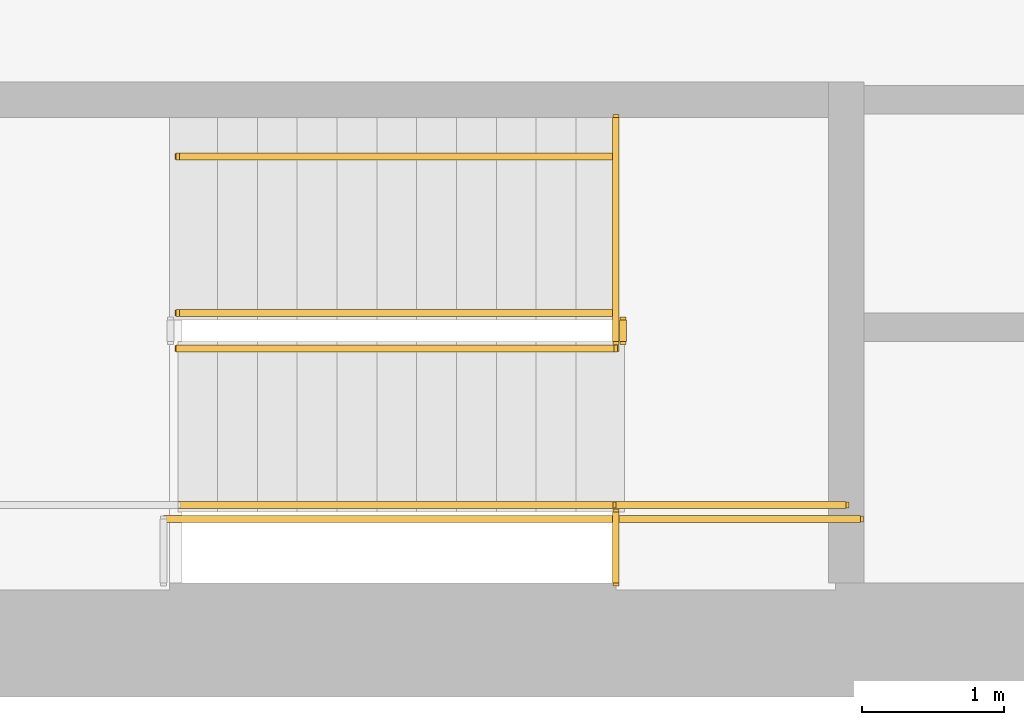
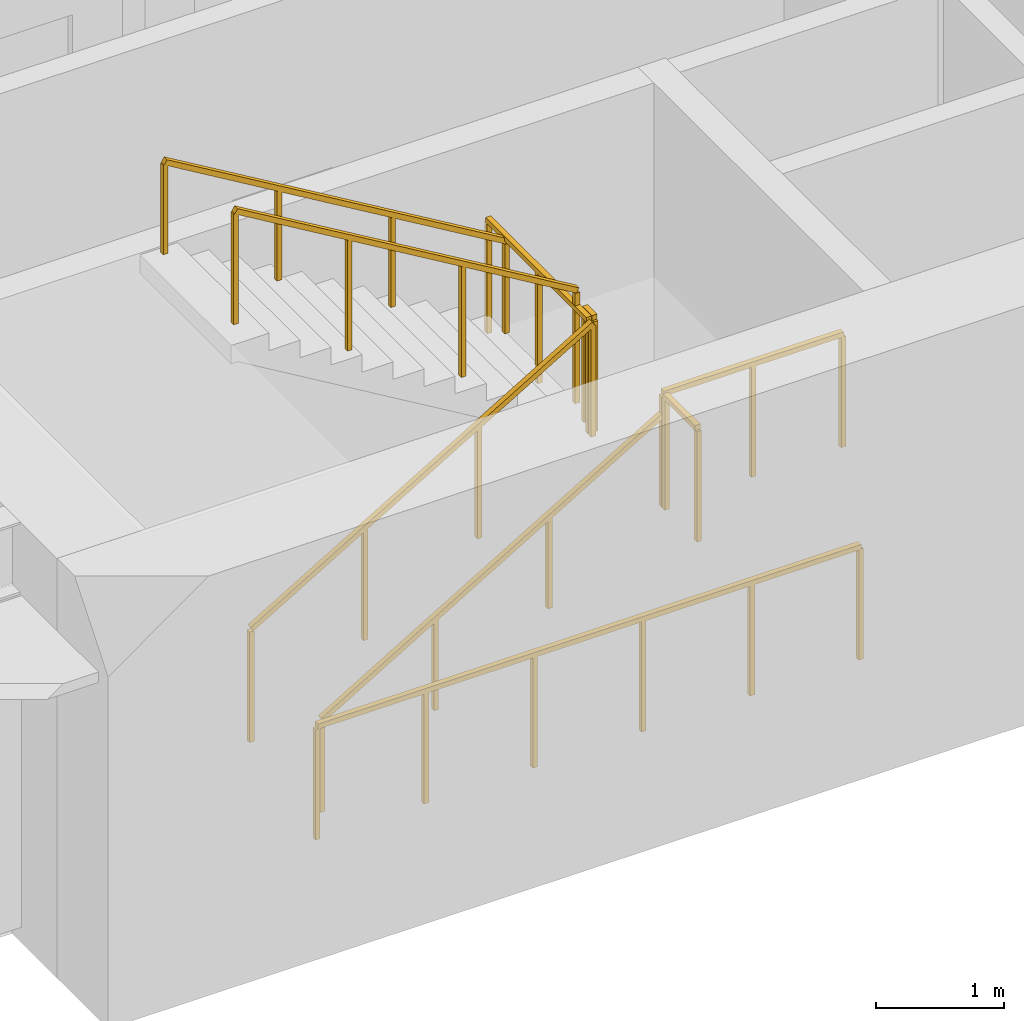
# One storey, part 10 of 12: 9 railings.
"""IFC4 building model written with IfcOpenShell, lengths in metres."""

from ifc_helpers import new_model, si_unit, direction, frame, origin, origin_2d, place, context, subcontext, project, spatial, rectangle, extrude, material, type_object, element, save


model = new_model("IFC4")

# Units and contexts
model_context = context("Model", 3, precision=1e-05, world=origin(), true_north=direction((0.0, 1.0)))
body_context = subcontext(model_context, "Body", "Model", "MODEL_VIEW")
ifc_project = project(units=[si_unit("LENGTHUNIT", "METRE"), si_unit("AREAUNIT", "SQUARE_METRE"), si_unit("VOLUMEUNIT", "CUBIC_METRE"), si_unit("PLANEANGLEUNIT", "RADIAN"), si_unit("MASSUNIT", "GRAM", prefix="KILO")], contexts=[model_context])

# Site, building, storey
site_placement = place(None, origin())
site = spatial("IfcSite", under=ifc_project, at=site_placement, CompositionType="ELEMENT")
building_placement = place(site_placement, origin())
building = spatial("IfcBuilding", under=site, at=building_placement, Name="Sennacour Bend Tower", CompositionType="ELEMENT")
storey_placement = place(building_placement, frame((0.0, 0.0, 277.0)))
storey = spatial("IfcBuildingStorey", under=building, at=storey_placement, Name="L64", CompositionType="ELEMENT", Elevation=277.0)

# Railings
ifc_material = material(Name="Stainless steel", Category="steel")
railing_type_1 = type_object("IfcRailingType", Name="RL-GUARD-1100", PredefinedType="GUARDRAIL", material=ifc_material)
railing_1_placement = place(storey_placement, frame((56.699951171875, 2.449951171875, 0.166748046875)))
element("IfcRailing", 1, at=railing_1_placement, inside=storey, type_object=railing_type_1, Name="L64 SA1 stair guard 1", PredefinedType="GUARDRAIL", context=body_context, shape_type="SweptSolid", body=[
    extrude(rectangle(XDim=0.048095703125, YDim=0.048095703125, at=origin_2d()), frame((0.0, 0.0, 1.076171875), z_axis=(0.859308565015, 0.0, 0.511457515432), x_axis=(0.0, 1.0, 0.0)), (0.0, 0.0, 1.0), 3.58447265625),
    extrude(rectangle(XDim=0.0419921875, YDim=0.0419921875, at=origin_2d()), origin(), (0.0, 0.0, 1.0), 1.052001953125),
    extrude(rectangle(XDim=0.0419921875, YDim=0.0419921875, at=origin_2d()), frame((1.026611328125, 0.0, 0.611083984375)), (0.0, 0.0, 1.0), 1.052001953125),
    extrude(rectangle(XDim=0.0419921875, YDim=0.0419921875, at=origin_2d()), frame((2.053466796875, 0.0, 1.22216796875)), (0.0, 0.0, 1.0), 1.052001953125),
    extrude(rectangle(XDim=0.0419921875, YDim=0.0419921875, at=origin_2d()), frame((3.080078125, 0.0, 1.833251953125)), (0.0, 0.0, 1.0), 1.052001953125),
])
railing_2_placement = place(storey_placement, frame((59.830078125, 2.5, 2.0)))
element("IfcRailing", 2, at=railing_2_placement, inside=storey, type_object=railing_type_1, Name="L64 SA1 stair guard 2", PredefinedType="GUARDRAIL", context=body_context, shape_type="SweptSolid", body=[
    extrude(rectangle(XDim=0.048095703125, YDim=0.048095703125, at=origin_2d()), frame((0.0, 0.0, 1.076171875), z_axis=(0.0, 1.0, 0.0), x_axis=(-1.0, 0.0, 0.0)), (0.0, 0.0, 1.0), 0.14990234375),
    extrude(rectangle(XDim=0.0419921875, YDim=0.0419921875, at=origin_2d()), origin(), (0.0, 0.0, 1.0), 1.052001953125),
    extrude(rectangle(XDim=0.0419921875, YDim=0.0419921875, at=origin_2d()), frame((0.0, 0.14990234375, 0.0)), (0.0, 0.0, 1.0), 1.052001953125),
])
railing_3_placement = place(storey_placement, frame((59.780029296875, 1.35009765625, 2.0)))
element("IfcRailing", 3, at=railing_3_placement, inside=storey, type_object=railing_type_1, Name="L64 SA1 stair guard 3", PredefinedType="GUARDRAIL", context=body_context, shape_type="SweptSolid", body=[
    extrude(rectangle(XDim=0.048095703125, YDim=0.048095703125, at=origin_2d()), frame((0.0, 0.0, 1.076171875), z_axis=(1.0, 0.0, 0.0), x_axis=(0.0, 1.0, 0.0)), (0.0, 0.0, 1.0), 1.619873046875),
    extrude(rectangle(XDim=0.0419921875, YDim=0.0419921875, at=origin_2d()), origin(), (0.0, 0.0, 1.0), 1.052001953125),
    extrude(rectangle(XDim=0.0419921875, YDim=0.0419921875, at=origin_2d()), frame((0.81005859375, 0.0, 0.0)), (0.0, 0.0, 1.0), 1.052001953125),
    extrude(rectangle(XDim=0.0419921875, YDim=0.0419921875, at=origin_2d()), frame((1.619873046875, 0.0, 0.0)), (0.0, 0.0, 1.0), 1.052001953125),
])
railing_4_placement = place(storey_placement, frame((59.780029296875, 2.699951171875, 2.166748046875)))
element("IfcRailing", 4, at=railing_4_placement, inside=storey, type_object=railing_type_1, Name="L64 SA1 stair guard 4", PredefinedType="GUARDRAIL", context=body_context, shape_type="SweptSolid", body=[
    extrude(rectangle(XDim=0.048095703125, YDim=0.048095703125, at=origin_2d()), frame((0.0, 0.0, 1.076171875), z_axis=(-0.859308565015, 0.0, 0.511457515432), x_axis=(0.0, -1.0, 0.0)), (0.0, 0.0, 1.0), 3.58447265625),
    extrude(rectangle(XDim=0.0419921875, YDim=0.0419921875, at=origin_2d()), origin(), (0.0, 0.0, 1.0), 1.052001953125),
    extrude(rectangle(XDim=0.0419921875, YDim=0.0419921875, at=origin_2d()), frame((-1.026611328125, 0.0, 0.611083984375)), (0.0, 0.0, 1.0), 1.052001953125),
    extrude(rectangle(XDim=0.0419921875, YDim=0.0419921875, at=origin_2d()), frame((-2.053466796875, 0.0, 1.22216796875)), (0.0, 0.0, 1.0), 1.052001953125),
    extrude(rectangle(XDim=0.0419921875, YDim=0.0419921875, at=origin_2d()), frame((-3.080078125, 0.0, 1.833251953125)), (0.0, 0.0, 1.0), 1.052001953125),
])
railing_5_placement = place(storey_placement, frame((56.60009765625, 1.25, 0.0)))
element("IfcRailing", 5, at=railing_5_placement, inside=storey, type_object=railing_type_1, Name="L64 SA1 stair guard 8", PredefinedType="GUARDRAIL", context=body_context, shape_type="SweptSolid", body=[
    extrude(rectangle(XDim=0.048095703125, YDim=0.048095703125, at=origin_2d()), frame((0.0, 0.0, 1.076171875), z_axis=(1.0, 0.0, 0.0), x_axis=(0.0, 1.0, 0.0)), (0.0, 0.0, 1.0), 4.89990234375),
    extrude(rectangle(XDim=0.0419921875, YDim=0.0419921875, at=origin_2d()), origin(), (0.0, 0.0, 1.0), 1.052001953125),
    extrude(rectangle(XDim=0.0419921875, YDim=0.0419921875, at=origin_2d()), frame((0.97998046875, 0.0, 0.0)), (0.0, 0.0, 1.0), 1.052001953125),
    extrude(rectangle(XDim=0.0419921875, YDim=0.0419921875, at=origin_2d()), frame((1.9599609375, 0.0, 0.0)), (0.0, 0.0, 1.0), 1.052001953125),
    extrude(rectangle(XDim=0.0419921875, YDim=0.0419921875, at=origin_2d()), frame((2.93994140625, 0.0, 0.0)), (0.0, 0.0, 1.0), 1.052001953125),
    extrude(rectangle(XDim=0.0419921875, YDim=0.0419921875, at=origin_2d()), frame((3.919921875, 0.0, 0.0)), (0.0, 0.0, 1.0), 1.052001953125),
    extrude(rectangle(XDim=0.0419921875, YDim=0.0419921875, at=origin_2d()), frame((4.89990234375, 0.0, 0.0)), (0.0, 0.0, 1.0), 1.052001953125),
])
railing_6_placement = place(storey_placement, frame((59.780029296875, 0.800048828125, 2.0)))
element("IfcRailing", 6, at=railing_6_placement, inside=storey, type_object=railing_type_1, Name="L64 SA1 landing edge guard 98", PredefinedType="GUARDRAIL", context=body_context, shape_type="SweptSolid", body=[
    extrude(rectangle(XDim=0.048095703125, YDim=0.048095703125, at=origin_2d()), frame((0.0, 0.0, 1.076171875), z_axis=(0.0, 1.0, 0.0), x_axis=(-1.0, 0.0, 0.0)), (0.0, 0.0, 1.0), 0.5),
    extrude(rectangle(XDim=0.0419921875, YDim=0.0419921875, at=origin_2d()), origin(), (0.0, 0.0, 1.0), 1.052001953125),
    extrude(rectangle(XDim=0.0419921875, YDim=0.0419921875, at=origin_2d()), frame((0.0, 0.5, 0.0)), (0.0, 0.0, 1.0), 1.052001953125),
])
railing_7_placement = place(storey_placement, frame((59.780029296875, 2.5, 2.0)))
element("IfcRailing", 7, at=railing_7_placement, inside=storey, type_object=railing_type_1, Name="L64 SA1 landing edge guard 99", PredefinedType="GUARDRAIL", context=body_context, shape_type="SweptSolid", body=[
    extrude(rectangle(XDim=0.048095703125, YDim=0.048095703125, at=origin_2d()), frame((0.0, 0.0, 1.076171875), z_axis=(0.0, 1.0, 0.0), x_axis=(-1.0, 0.0, 0.0)), (0.0, 0.0, 1.0), 1.574951171875),
    extrude(rectangle(XDim=0.0419921875, YDim=0.0419921875, at=origin_2d()), origin(), (0.0, 0.0, 1.0), 1.052001953125),
    extrude(rectangle(XDim=0.0419921875, YDim=0.0419921875, at=origin_2d()), frame((0.0, 0.78759765625, 0.0)), (0.0, 0.0, 1.0), 1.052001953125),
    extrude(rectangle(XDim=0.0419921875, YDim=0.0419921875, at=origin_2d()), frame((0.0, 1.574951171875, 0.0)), (0.0, 0.0, 1.0), 1.052001953125),
])
railing_type_2 = type_object("IfcRailingType", Name="RL-HANDRAIL-900", PredefinedType="HANDRAIL", material=ifc_material)
railing_8_placement = place(storey_placement, frame((56.699951171875, 1.35009765625, 0.166748046875)))
element("IfcRailing", 8, at=railing_8_placement, inside=storey, type_object=railing_type_2, Name="L64 SA1 stair handrail 1", PredefinedType="HANDRAIL", context=body_context, shape_type="SweptSolid", body=[
    extrude(rectangle(XDim=0.048095703125, YDim=0.048095703125, at=origin_2d()), frame((0.0, 0.0, 0.8759765625), z_axis=(0.859308565015, 0.0, 0.511457515432), x_axis=(0.0, 1.0, 0.0)), (0.0, 0.0, 1.0), 3.58447265625),
    extrude(rectangle(XDim=0.0419921875, YDim=0.0419921875, at=origin_2d()), origin(), (0.0, 0.0, 1.0), 0.851806640625),
    extrude(rectangle(XDim=0.0419921875, YDim=0.0419921875, at=origin_2d()), frame((1.026611328125, 0.0, 0.611083984375)), (0.0, 0.0, 1.0), 0.851806640625),
    extrude(rectangle(XDim=0.0419921875, YDim=0.0419921875, at=origin_2d()), frame((2.053466796875, 0.0, 1.22216796875)), (0.0, 0.0, 1.0), 0.851806640625),
    extrude(rectangle(XDim=0.0419921875, YDim=0.0419921875, at=origin_2d()), frame((3.080078125, 0.0, 1.833251953125)), (0.0, 0.0, 1.0), 0.851806640625),
])
railing_9_placement = place(storey_placement, frame((59.780029296875, 3.800048828125, 2.166748046875)))
element("IfcRailing", 9, at=railing_9_placement, inside=storey, type_object=railing_type_2, Name="L64 SA1 stair handrail 2", PredefinedType="HANDRAIL", context=body_context, shape_type="SweptSolid", body=[
    extrude(rectangle(XDim=0.048095703125, YDim=0.048095703125, at=origin_2d()), frame((0.0, 0.0, 0.8759765625), z_axis=(-0.859308565015, 0.0, 0.511457515432), x_axis=(0.0, -1.0, 0.0)), (0.0, 0.0, 1.0), 3.58447265625),
    extrude(rectangle(XDim=0.0419921875, YDim=0.0419921875, at=origin_2d()), origin(), (0.0, 0.0, 1.0), 0.851806640625),
    extrude(rectangle(XDim=0.0419921875, YDim=0.0419921875, at=origin_2d()), frame((-1.026611328125, 0.0, 0.611083984375)), (0.0, 0.0, 1.0), 0.851806640625),
    extrude(rectangle(XDim=0.0419921875, YDim=0.0419921875, at=origin_2d()), frame((-2.053466796875, 0.0, 1.22216796875)), (0.0, 0.0, 1.0), 0.851806640625),
    extrude(rectangle(XDim=0.0419921875, YDim=0.0419921875, at=origin_2d()), frame((-3.080078125, 0.0, 1.833251953125)), (0.0, 0.0, 1.0), 0.851806640625),
])

save(model, "model.ifc")
